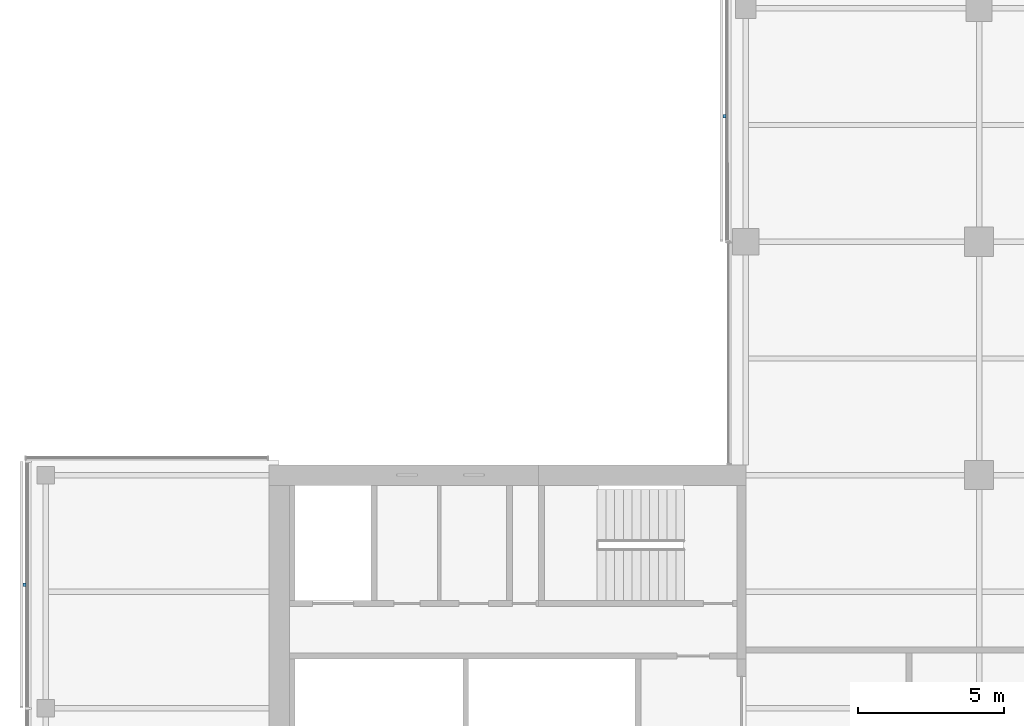
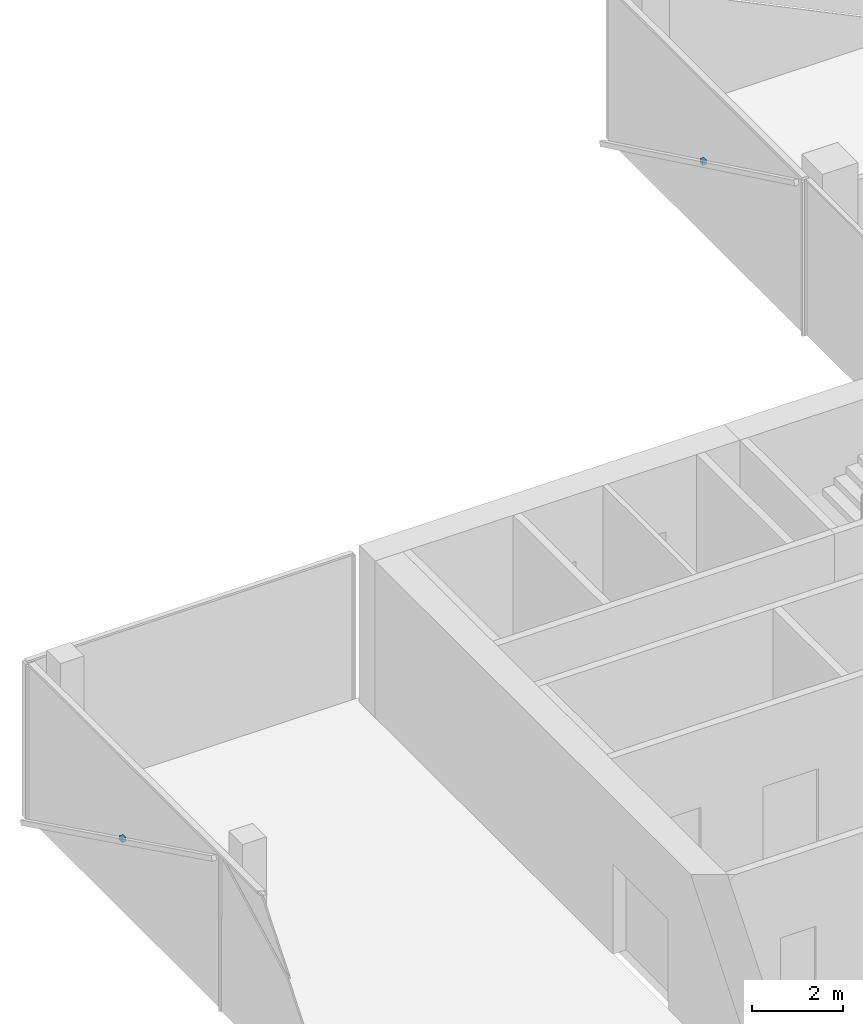
# One storey, part 19 of 22: 2 discrete accessories.
"""IFC4 building model written with IfcOpenShell, lengths in metres."""

from ifc_helpers import new_model, si_unit, direction, frame, origin, origin_2d, place, context, subcontext, project, spatial, rectangle, extrude, material, type_object, element, save


model = new_model("IFC4")

# Units and contexts
model_context = context("Model", 3, precision=1e-05, world=origin(), true_north=direction((0.0, 1.0)))
body_context = subcontext(model_context, "Body", "Model", "MODEL_VIEW")
ifc_project = project(units=[si_unit("LENGTHUNIT", "METRE"), si_unit("AREAUNIT", "SQUARE_METRE"), si_unit("VOLUMEUNIT", "CUBIC_METRE"), si_unit("PLANEANGLEUNIT", "RADIAN"), si_unit("MASSUNIT", "GRAM", prefix="KILO")], contexts=[model_context])

# Site, building, storey
site_placement = place(None, origin())
site = spatial("IfcSite", under=ifc_project, at=site_placement, CompositionType="ELEMENT")
building_placement = place(site_placement, origin())
building = spatial("IfcBuilding", under=site, at=building_placement, Name="Crosswind Convention Tower", CompositionType="ELEMENT")
storey_placement = place(building_placement, frame((0.0, 0.0, 121.10009765625)))
storey = spatial("IfcBuildingStorey", under=building, at=storey_placement, Name="L24", CompositionType="ELEMENT", Elevation=121.10009765625)

# Discrete accessories
ifc_material = material(Name="Stainless steel", Category="steel")
discrete_accessory_type = type_object("IfcDiscreteAccessoryType", Name="BAGUETTE BRACKET BK3", PredefinedType="BRACKET", material=ifc_material)
for number, where, z_axis, x_axis, name in (
    (1, (112.27392578125, 124.304931640625, 1.704833984375), (0.0, 0.0, 1.0), (0.0, -1.0, 0.0), "BK3 baguette bracket"),
    (2, (88.27392578125, 108.232421875, 1.704833984375), (0.0, 0.0, 1.0), (0.0, -1.0, 0.0), "BK3 baguette bracket"),
):
    element("IfcDiscreteAccessory", number, at=place(storey_placement, frame(where, z_axis=z_axis, x_axis=x_axis)), inside=storey, type_object=discrete_accessory_type, Name=name, PredefinedType="BRACKET", context=body_context, shape_type="SweptSolid", body=[
        extrude(rectangle(XDim=0.1201171875, YDim=0.10009765625, at=origin_2d()), origin(), (0.0, 0.0, 1.0), 0.1201171875),
    ])

save(model, "model.ifc")
